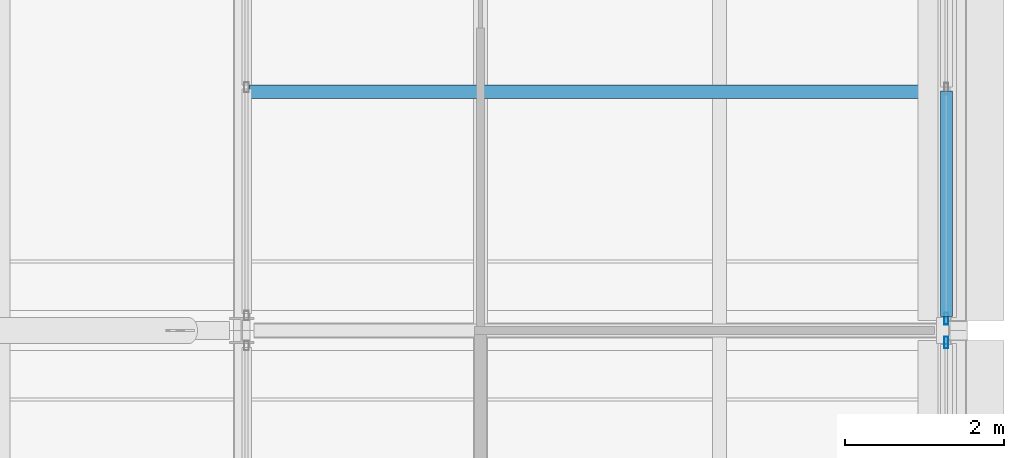
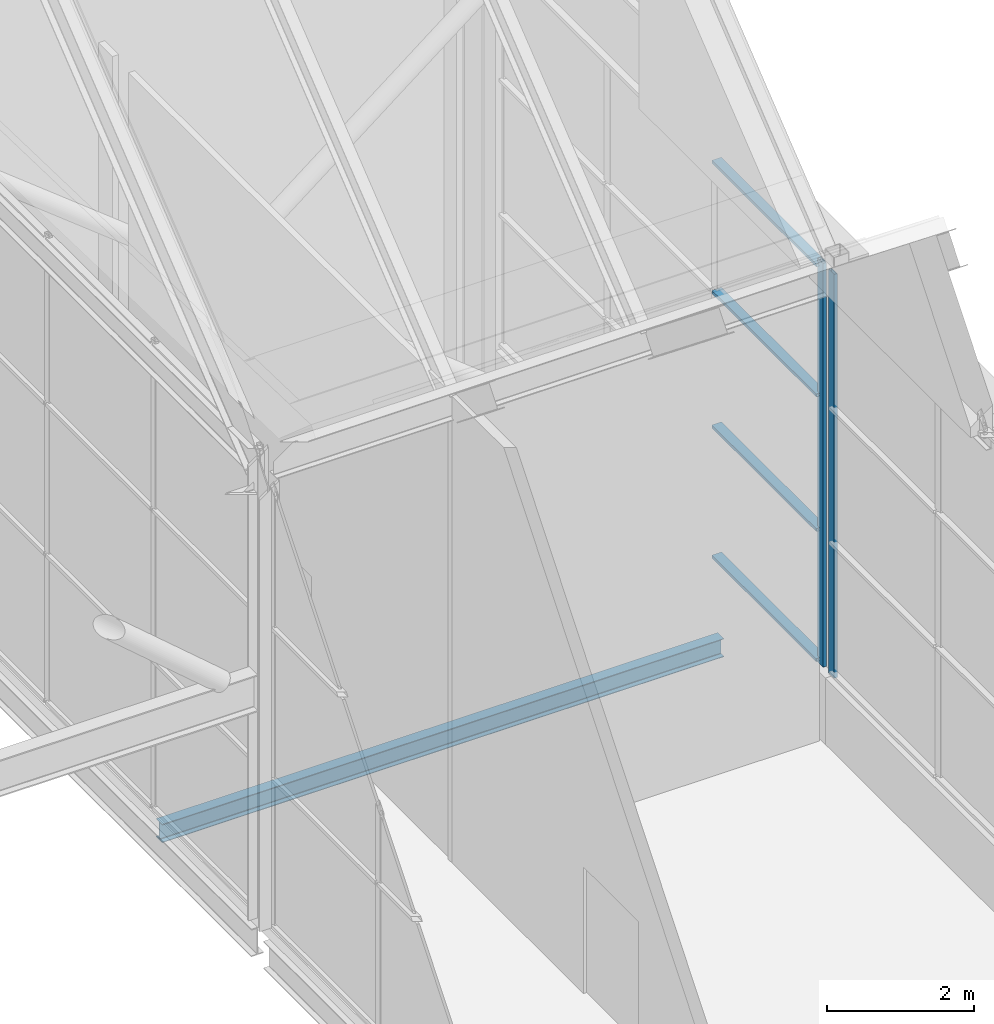
# One storey, part 83 of 144: 6 members, 1 beam, 2 elements without a shape of their own.
"""IFC4 building model written with IfcOpenShell, lengths in metres."""

import ifcopenshell
import ifcopenshell.guid

model = None  # the IFC model being written
_history = None  # IfcOwnerHistory: only IFC2X3 demands one
_inside = {}  # id of a spatial element -> (the spatial element, [elements in it])
_under = {}  # id of a project, library or spatial element -> (it, [spatial elements below it])
_declared = {}  # id of a project -> (the project, [libraries it declares])
_typed = {}  # id of a type object -> (the type object, [elements of that type])
_made_of = {}  # id of a material, layer set ... -> (it, [elements and type objects made of it])


def new_model(schema):
    """Start an empty IFC model of exactly this schema.

    Asked for "IFC4X3", IfcOpenShell would pick the latest addendum, in which some entities
    have other attributes; the version numbers below select the first issue.
    IFC2X3 requires an IfcOwnerHistory on every rooted entity: one is made here for all.
    """
    global model, _history
    if schema == "IFC4X3":
        model = ifcopenshell.file(schema_version=(4, 3, 0, 0))
    else:
        model = ifcopenshell.file(schema=schema)
    _inside.clear()
    _under.clear()
    _declared.clear()
    _typed.clear()
    _made_of.clear()
    _history = None
    if model.schema == "IFC2X3":
        org = make("IfcOrganization", Name="unknown")
        user = make(
            "IfcPersonAndOrganization",
            ThePerson=make("IfcPerson", FamilyName="unknown"),
            TheOrganization=org,
        )
        app = make(
            "IfcApplication",
            ApplicationDeveloper=org,
            Version="unknown",
            ApplicationFullName="unknown",
            ApplicationIdentifier="unknown",
        )
        _history = make(
            "IfcOwnerHistory",
            OwningUser=user,
            OwningApplication=app,
            ChangeAction="ADDED",
            CreationDate=0,
        )
    return model


def make(cls, **values):
    """One entity of the class cls with the attributes given. An attribute that is None is left unset."""
    return model.create_entity(
        cls, **{name: value for name, value in values.items() if value is not None}
    )


def rooted(cls, **values):
    """An entity with a GlobalId (a new one), such as an element, a storey or a relation."""
    return make(cls, GlobalId=ifcopenshell.guid.new(), OwnerHistory=_history, **values)


def si_unit(unit_type, name, prefix=None):
    """IfcSIUnit, for example si_unit("LENGTHUNIT", "METRE", prefix="MILLI")."""
    return make("IfcSIUnit", UnitType=unit_type, Prefix=prefix, Name=name)


def assignment(units):
    """IfcUnitAssignment: the units of a project."""
    return None if units is None else make("IfcUnitAssignment", Units=units)


def point(xyz):
    """IfcCartesianPoint."""
    return None if xyz is None else make("IfcCartesianPoint", Coordinates=xyz)


def direction(xyz):
    """IfcDirection."""
    return None if xyz is None else make("IfcDirection", DirectionRatios=xyz)


def frame(location, z_axis=None, x_axis=None):
    """IfcAxis2Placement3D, a coordinate frame: its origin and axes. An axis left out is left unset."""
    return make(
        "IfcAxis2Placement3D",
        Location=point(location),
        Axis=direction(z_axis),
        RefDirection=direction(x_axis),
    )


def frame_2d(location, x_axis=None):
    """IfcAxis2Placement2D, a coordinate frame in the plane: its origin and x axis."""
    return make(
        "IfcAxis2Placement2D", Location=point(location), RefDirection=direction(x_axis)
    )


def origin():
    """The frame at (0, 0, 0) with its axes left unset."""
    return frame((0.0, 0.0, 0.0))


def origin_2d():
    """The frame at (0, 0) in the plane with its x axis left unset."""
    return frame_2d((0.0, 0.0))


def place(relative_to, where):
    """IfcLocalPlacement: puts the frame where relative to a parent placement (None: the world)."""
    return make(
        "IfcLocalPlacement", PlacementRelTo=relative_to, RelativePlacement=where
    )


def context(
    kind, dimensions, precision=None, world=None, true_north=None, identifier=None
):
    """IfcGeometricRepresentationContext, for example the 3D "Model" context."""
    return make(
        "IfcGeometricRepresentationContext",
        ContextIdentifier=identifier,
        ContextType=kind,
        CoordinateSpaceDimension=dimensions,
        Precision=precision,
        WorldCoordinateSystem=world,
        TrueNorth=true_north,
    )


def subcontext(parent, identifier, kind, view, scale=None):
    """IfcGeometricRepresentationSubContext, for example "Body" below "Model"."""
    return make(
        "IfcGeometricRepresentationSubContext",
        ContextIdentifier=identifier,
        ContextType=kind,
        ParentContext=parent,
        TargetScale=scale,
        TargetView=view,
    )


def project(units=None, contexts=None):
    """IfcProject with its units and contexts."""
    return rooted(
        "IfcProject",
        Name="project",
        RepresentationContexts=contexts,
        UnitsInContext=assignment(units),
    )


def spatial(cls, under=None, at=None, **own):
    """A site, building, storey or space (cls), placed at a placement, below another one or the project."""
    s = rooted(cls, ObjectPlacement=at, **own)
    if under is not None:
        _under.setdefault(under.id(), (under, []))[1].append(s)
    return s


def profile(cls, at=None, kind="AREA", **sizes):
    """A parametric profile (cls). Its sizes go by their IFC names, for example OverallWidth=200.0."""
    return make(cls, ProfileType=kind, Position=at, **sizes)


def hollow_rectangle(**sizes):
    """IfcRectangleHollowProfileDef."""
    return profile("IfcRectangleHollowProfileDef", **sizes)


def i_section(**sizes):
    """IfcIShapeProfileDef."""
    return profile("IfcIShapeProfileDef", **sizes)


def extrude(swept, where, along, depth):
    """IfcExtrudedAreaSolid: the profile swept, set in the frame where, extruded along a direction by depth."""
    return make(
        "IfcExtrudedAreaSolid",
        SweptArea=swept,
        Position=where,
        ExtrudedDirection=direction(along),
        Depth=depth,
    )


def shape(context_of_items, identifier, shape_type, items):
    """IfcShapeRepresentation: the items that make up one representation, for example the "Body"."""
    return make(
        "IfcShapeRepresentation",
        ContextOfItems=context_of_items,
        RepresentationIdentifier=identifier,
        RepresentationType=shape_type,
        Items=items,
    )


def material(Name=None, Category=None):
    """IfcMaterial."""
    return make("IfcMaterial", Name=Name, Category=Category)


def layer(
    of_material, thickness, ventilated=None, Name=None, Category=None, Priority=None
):
    """IfcMaterialLayer: one layer of a wall or slab, of a material (None: an air gap)."""
    return make(
        "IfcMaterialLayer",
        Material=of_material,
        LayerThickness=thickness,
        IsVentilated=ventilated,
        Name=Name,
        Category=Category,
        Priority=Priority,
    )


def layer_set(layers, Name=None):
    """IfcMaterialLayerSet."""
    return make("IfcMaterialLayerSet", MaterialLayers=layers, LayerSetName=Name)


def material_profile(
    of_material, cross_section, Name=None, Category=None, Priority=None
):
    """IfcMaterialProfile: a cross section and its material."""
    return make(
        "IfcMaterialProfile",
        Name=Name,
        Material=of_material,
        Profile=cross_section,
        Priority=Priority,
        Category=Category,
    )


def profile_set(profiles, Name=None, composite=None):
    """IfcMaterialProfileSet."""
    return make(
        "IfcMaterialProfileSet",
        Name=Name,
        MaterialProfiles=profiles,
        CompositeProfile=composite,
    )


def made_of(thing, what):
    """Note that an element or type object is made of a material, layer set ...; save() writes the relation."""
    if what is not None:
        _made_of.setdefault(what.id(), (what, []))[1].append(thing)
    return thing


def type_object(cls, material=None, **own):
    """A type object (cls), such as IfcWallType, which elements share."""
    return made_of(rooted(cls, **own), material)


def element(
    cls,
    number,
    at=None,
    inside=None,
    cuts=None,
    type_object=None,
    material=None,
    context=None,
    identifier="Body",
    shape_type=None,
    held_by="IfcProductDefinitionShape",
    body=None,
    shapes=None,
    **own,
):
    """One element of the class cls, such as IfcWall. Its Tag is "e" and its number.

    at: its placement. inside: the storey or other place that contains it. cuts: it is an
    opening in that element (IfcRelVoidsElement). A single representation is given by context,
    identifier, shape_type and body (its items); several are given by shapes. held_by: the class
    of the entity that holds the representations. save() writes the other relations.
    """
    e = rooted(cls, Tag="e%d" % number, ObjectPlacement=at, **own)
    if body is not None:
        shapes = [shape(context, identifier, shape_type, body)]
    if shapes is not None:
        e.Representation = make(held_by, Representations=shapes)
    if inside is not None:
        _inside.setdefault(inside.id(), (inside, []))[1].append(e)
    if cuts is not None:
        rooted(
            "IfcRelVoidsElement", RelatingBuildingElement=cuts, RelatedOpeningElement=e
        )
    if type_object is not None:
        _typed.setdefault(type_object.id(), (type_object, []))[1].append(e)
    return made_of(e, material)


def aggregate(whole, parts):
    """IfcRelAggregates: a whole, such as a stair, and the parts it consists of."""
    return rooted("IfcRelAggregates", RelatingObject=whole, RelatedObjects=parts)


def save(model, path):
    """Write the relations noted so far, then the file.

    IfcRelAggregates (storeys below a building ...), IfcRelContainedInSpatialStructure (elements
    in a storey), IfcRelDefinesByType, IfcRelAssociatesMaterial and IfcRelDeclares: one each for
    every whole, place, type object, material and project.
    """
    for whole, parts in _under.values():
        aggregate(whole, parts)
    for where, things in _inside.values():
        rooted(
            "IfcRelContainedInSpatialStructure",
            RelatedElements=things,
            RelatingStructure=where,
        )
    for kind, things in _typed.values():
        rooted("IfcRelDefinesByType", RelatedObjects=things, RelatingType=kind)
    for what, things in _made_of.values():
        rooted("IfcRelAssociatesMaterial", RelatedObjects=things, RelatingMaterial=what)
    for by, libraries in _declared.values():
        rooted("IfcRelDeclares", RelatingContext=by, RelatedDefinitions=libraries)
    model.write(path)


model = new_model("IFC4")

# Units and contexts
model_context = context("Model", 3, precision=1e-05, world=origin(), true_north=direction((0.0, 1.0)))
body_context = subcontext(model_context, "Body", "Model", "MODEL_VIEW")
ifc_project = project(units=[si_unit("LENGTHUNIT", "METRE"), si_unit("AREAUNIT", "SQUARE_METRE"), si_unit("VOLUMEUNIT", "CUBIC_METRE"), si_unit("PLANEANGLEUNIT", "RADIAN"), si_unit("MASSUNIT", "GRAM", prefix="KILO")], contexts=[model_context])

# Site, building, storey
site_placement = place(None, origin())
site = spatial("IfcSite", under=ifc_project, at=site_placement, CompositionType="ELEMENT")
building_placement = place(site_placement, origin())
building = spatial("IfcBuilding", under=site, at=building_placement, Name="Shorebreak Coast Museum", CompositionType="ELEMENT")
storey_placement = place(building_placement, frame((0.0, 0.0, 36.0)))
storey = spatial("IfcBuildingStorey", under=building, at=storey_placement, Name="L06", CompositionType="ELEMENT", Elevation=36.0)

# Beam
ifc_material_1 = material(Name="Steel Grade 300", Category="steel")
ifc_material_profile_1 = material_profile(ifc_material_1, i_section(OverallWidth=0.1650390625, OverallDepth=0.303955078125, WebThickness=0.006103515625, FlangeThickness=0.01025390625, FilletRadius=0.011474609375, at=origin_2d()), Name="310UB40.4")
ifc_profile_set_1 = profile_set([ifc_material_profile_1], Name="Steel Grade 300")
beam_type = type_object("IfcBeamType", Name="Floor joist 310UB40.4", PredefinedType="JOIST", material=ifc_profile_set_1)
beam_placement = place(storey_placement, frame((108.095458984375, 75.0, -0.326904296875), z_axis=(1.0, 0.0, 0.0), x_axis=(0.0, 1.0, 0.0)))
element("IfcBeam", 1, at=beam_placement, inside=storey, type_object=beam_type, Name="Floor joist L06 bay 13J at 3000 mm", PredefinedType="JOIST", context=body_context, shape_type="SweptSolid", body=[
    extrude(i_section(OverallWidth=0.1650390625, OverallDepth=0.303955078125, WebThickness=0.006103515625, FlangeThickness=0.01025390625, FilletRadius=0.011474609375, at=origin_2d()), origin(), (0.0, 0.0, 1.0), 8.8154296875),
])

# Curtain wall, member
ifc_material_2 = material(Name="Aluminium", Category="aluminium")
ifc_layer = layer(ifc_material_2, 0.14990234375)
ifc_layer_set = layer_set([ifc_layer], Name="Aluminium")
curtain_wall_type = type_object("IfcCurtainWallType", Name="Storefront curtain wall", PredefinedType="NOTDEFINED", material=ifc_layer_set)
curtain_wall_1_placement = place(storey_placement, origin())
curtain_wall_1 = element("IfcCurtainWall", 2, at=curtain_wall_1_placement, inside=storey, type_object=curtain_wall_type, Name="Atrium Hall glazing L06 E 20", PredefinedType="NOTDEFINED")
ifc_material_3 = material(Name="Aluminium", Category="aluminium")
ifc_material_profile_2 = material_profile(ifc_material_3, hollow_rectangle(XDim=0.050048828125, YDim=0.14990234375, WallThickness=0.00390625, at=origin_2d()), Name="AL 150x50 RHS")
ifc_profile_set_2 = profile_set([ifc_material_profile_2], Name="Aluminium")
member_type_1 = type_object("IfcMemberType", Name="Storefront mullion 50 x 150", PredefinedType="MULLION", material=ifc_profile_set_2)
member_1_placement = place(storey_placement, frame((116.85009765625, 71.85009765625, 1.10009765625), z_axis=(0.0, 0.0, 1.0), x_axis=(-1.0, 0.0, 0.0)))
member_1 = element("IfcMember", 3, at=member_1_placement, type_object=member_type_1, Name="CW5 mullion 4", PredefinedType="MULLION", context=body_context, shape_type="SweptSolid", body=[
    extrude(hollow_rectangle(XDim=0.050048828125, YDim=0.14990234375, WallThickness=0.00390625, at=origin_2d()), origin(), (0.0, 0.0, 1.0), 6.699951171875),
])
aggregate(curtain_wall_1, [member_1])

# Curtain wall, members
curtain_wall_2_placement = place(storey_placement, origin())
curtain_wall_2 = element("IfcCurtainWall", 4, at=curtain_wall_2_placement, inside=storey, type_object=curtain_wall_type, Name="Atrium Hall glazing L06 E 21", PredefinedType="NOTDEFINED")
member_2_placement = place(storey_placement, frame((116.85009765625, 72.14990234375, 1.10009765625), z_axis=(0.0, 0.0, 1.0), x_axis=(-1.0, 0.0, 0.0)))
member_2 = element("IfcMember", 5, at=member_2_placement, type_object=member_type_1, Name="CW5 mullion 1", PredefinedType="MULLION", context=body_context, shape_type="SweptSolid", body=[
    extrude(hollow_rectangle(XDim=0.050048828125, YDim=0.14990234375, WallThickness=0.00390625, at=origin_2d()), origin(), (0.0, 0.0, 1.0), 6.699951171875),
])
ifc_material_4 = material(Name="Aluminium", Category="aluminium")
ifc_material_profile_3 = material_profile(ifc_material_4, hollow_rectangle(XDim=0.14990234375, YDim=0.050048828125, WallThickness=0.00390625, at=origin_2d()), Name="AL 50x150 RHS")
ifc_profile_set_3 = profile_set([ifc_material_profile_3], Name="Aluminium")
member_type_2 = type_object("IfcMemberType", Name="Storefront transom 150 x 50", PredefinedType="USERDEFINED", material=ifc_profile_set_3)
member_3_placement = place(storey_placement, frame((116.85009765625, 72.175048828125, 1.175048828125), z_axis=(0.0, 1.0, 0.0), x_axis=(-1.0, 0.0, 0.0)))
member_3 = element("IfcMember", 6, at=member_3_placement, type_object=member_type_2, Name="CW5 transom 1.1", ObjectType="TRANSOM", PredefinedType="USERDEFINED", context=body_context, shape_type="SweptSolid", body=[
    extrude(hollow_rectangle(XDim=0.14990234375, YDim=0.050048828125, WallThickness=0.00390625, at=origin_2d()), origin(), (0.0, 0.0, 1.0), 2.8369140625),
])
member_4_placement = place(storey_placement, frame((116.85009765625, 72.175048828125, 3.333251953125), z_axis=(0.0, 1.0, 0.0), x_axis=(-1.0, 0.0, 0.0)))
member_4 = element("IfcMember", 7, at=member_4_placement, type_object=member_type_2, Name="CW5 transom 1.2", ObjectType="TRANSOM", PredefinedType="USERDEFINED", context=body_context, shape_type="SweptSolid", body=[
    extrude(hollow_rectangle(XDim=0.14990234375, YDim=0.050048828125, WallThickness=0.00390625, at=origin_2d()), origin(), (0.0, 0.0, 1.0), 2.8369140625),
])
member_5_placement = place(storey_placement, frame((116.85009765625, 72.175048828125, 5.566650390625), z_axis=(0.0, 1.0, 0.0), x_axis=(-1.0, 0.0, 0.0)))
member_5 = element("IfcMember", 8, at=member_5_placement, type_object=member_type_2, Name="CW5 transom 1.3", ObjectType="TRANSOM", PredefinedType="USERDEFINED", context=body_context, shape_type="SweptSolid", body=[
    extrude(hollow_rectangle(XDim=0.14990234375, YDim=0.050048828125, WallThickness=0.00390625, at=origin_2d()), origin(), (0.0, 0.0, 1.0), 2.8369140625),
])
member_6_placement = place(storey_placement, frame((116.85009765625, 72.175048828125, 7.72509765625), z_axis=(0.0, 1.0, 0.0), x_axis=(-1.0, 0.0, 0.0)))
member_6 = element("IfcMember", 9, at=member_6_placement, type_object=member_type_2, Name="CW5 transom 1.4", ObjectType="TRANSOM", PredefinedType="USERDEFINED", context=body_context, shape_type="SweptSolid", body=[
    extrude(hollow_rectangle(XDim=0.14990234375, YDim=0.050048828125, WallThickness=0.00390625, at=origin_2d()), origin(), (0.0, 0.0, 1.0), 2.8369140625),
])
aggregate(curtain_wall_2, [member_2, member_3, member_4, member_5, member_6])

save(model, "model.ifc")
